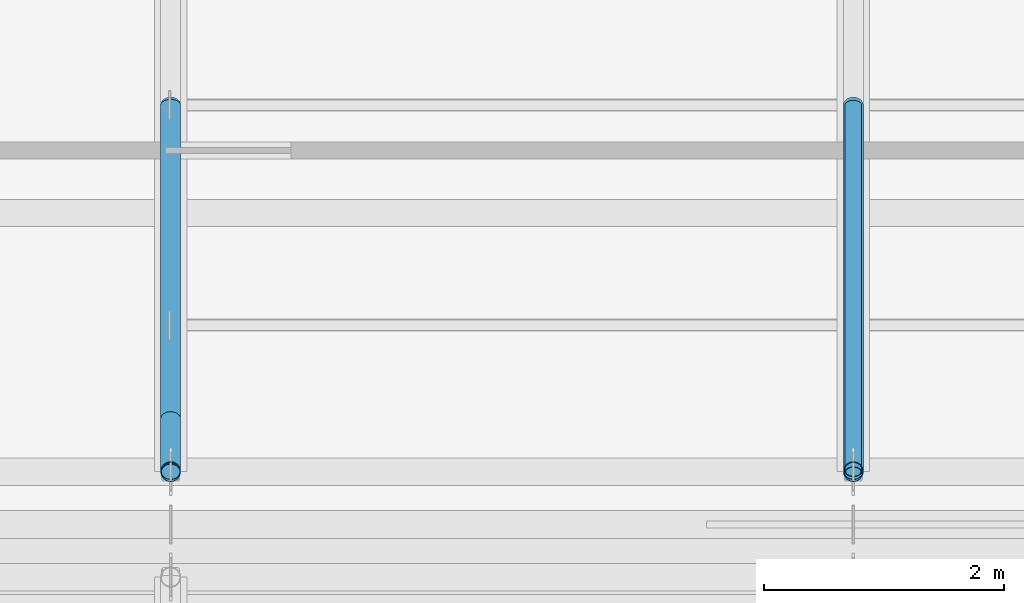
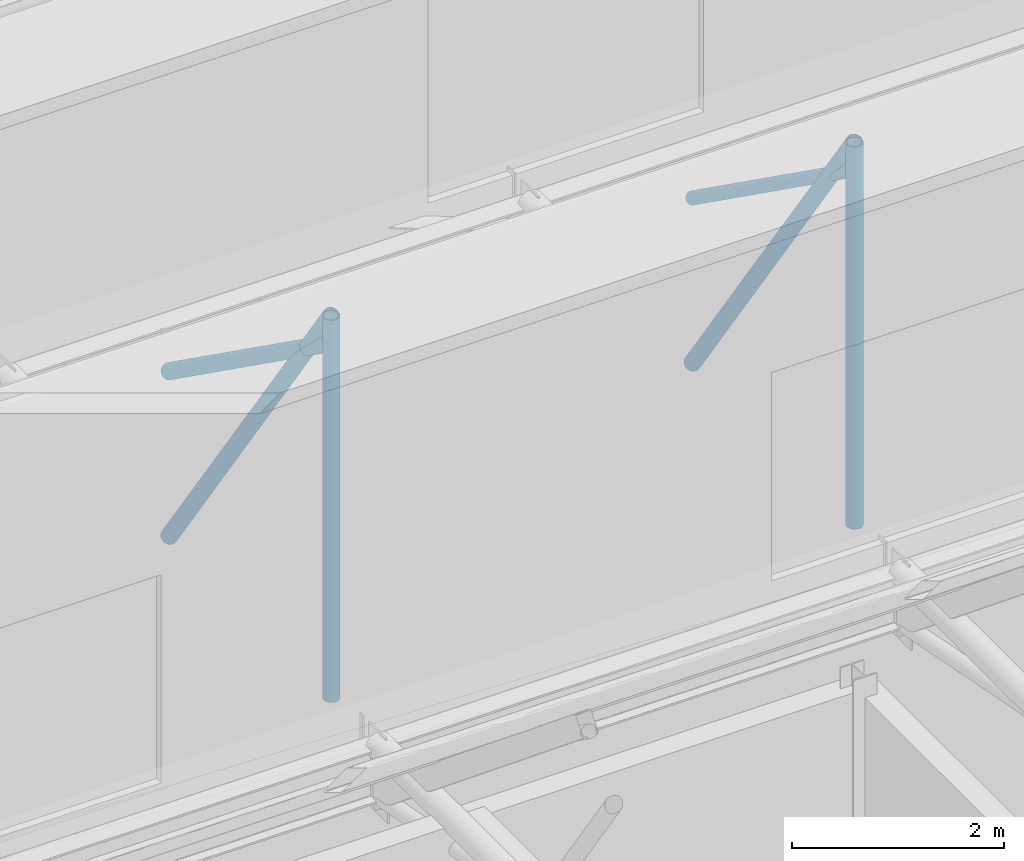
# One storey, part 10 of 55: 6 members.
"""IFC4 building model written with IfcOpenShell, lengths in metres."""

from ifc_helpers import new_model, si_unit, direction, frame, origin, origin_2d, place, context, subcontext, project, spatial, hollow_circle, extrude, material, material_profile, profile_set, type_object, element, save


model = new_model("IFC4")

# Units and contexts
model_context = context("Model", 3, precision=1e-05, world=origin(), true_north=direction((0.0, 1.0)))
body_context = subcontext(model_context, "Body", "Model", "MODEL_VIEW")
ifc_project = project(units=[si_unit("LENGTHUNIT", "METRE"), si_unit("AREAUNIT", "SQUARE_METRE"), si_unit("VOLUMEUNIT", "CUBIC_METRE"), si_unit("PLANEANGLEUNIT", "RADIAN"), si_unit("MASSUNIT", "GRAM", prefix="KILO")], contexts=[model_context])

# Site, building, storey
site_placement = place(None, origin())
site = spatial("IfcSite", under=ifc_project, at=site_placement, CompositionType="ELEMENT")
building_placement = place(site_placement, origin())
building = spatial("IfcBuilding", under=site, at=building_placement, Name="Tameran Prism Museum", CompositionType="ELEMENT")
storey_placement = place(building_placement, frame((0.0, 0.0, 28.800048828125)))
storey = spatial("IfcBuildingStorey", under=building, at=storey_placement, Name="L05", CompositionType="ELEMENT", Elevation=28.800048828125)

# Members
ifc_material_1 = material(Name="Steel Grade C350L0 (350 MPa)", Category="steel")
ifc_material_profile_1 = material_profile(ifc_material_1, hollow_circle(Radius=0.084228515625, WallThickness=0.007080078125, at=origin_2d()))
ifc_profile_set_1 = profile_set([ifc_material_profile_1])
member_type_1 = type_object("IfcMemberType", Name="MM-BR-CHS168", PredefinedType="BRACE", material=ifc_profile_set_1)
member_1_placement = place(storey_placement, frame((107.60009765625, 86.93994140625, 6.385986328125), z_axis=(0.0, 0.0, 1.0), x_axis=(1.0, 0.0, 0.0)))
element("IfcMember", 1, at=member_1_placement, inside=storey, type_object=member_type_1, Name="Sawtooth Brace STM-0080", PredefinedType="BRACE", context=body_context, shape_type="SweptSolid", body=[
    extrude(hollow_circle(Radius=0.084228515625, WallThickness=0.007080078125, at=origin_2d()), origin(), (0.0, 0.0, 1.0), 4.40185546875),
])
member_2_placement = place(storey_placement, frame((107.60009765625, 90.0, 6.385986328125), z_axis=(0.0, -0.570800267729, 0.821088944244), x_axis=(1.0, 0.0, 0.0)))
element("IfcMember", 2, at=member_2_placement, inside=storey, type_object=member_type_1, Name="Sawtooth Brace STM-0082", PredefinedType="BRACE", context=body_context, shape_type="SweptSolid", body=[
    extrude(hollow_circle(Radius=0.084228515625, WallThickness=0.007080078125, at=origin_2d()), origin(), (0.0, 0.0, 1.0), 5.361083984375),
])
member_3_placement = place(storey_placement, frame((113.300048828125, 86.93994140625, 6.385986328125), z_axis=(0.0, 0.0, 1.0), x_axis=(1.0, 0.0, 0.0)))
element("IfcMember", 3, at=member_3_placement, inside=storey, type_object=member_type_1, Name="Sawtooth Brace STM-0087", PredefinedType="BRACE", context=body_context, shape_type="SweptSolid", body=[
    extrude(hollow_circle(Radius=0.084228515625, WallThickness=0.007080078125, at=origin_2d()), origin(), (0.0, 0.0, 1.0), 4.40185546875),
])
member_4_placement = place(storey_placement, frame((113.300048828125, 90.0, 6.385986328125), z_axis=(0.0, -0.570800267729, 0.821088944244), x_axis=(1.0, 0.0, 0.0)))
element("IfcMember", 4, at=member_4_placement, inside=storey, type_object=member_type_1, Name="Sawtooth Brace STM-0089", PredefinedType="BRACE", context=body_context, shape_type="SweptSolid", body=[
    extrude(hollow_circle(Radius=0.084228515625, WallThickness=0.007080078125, at=origin_2d()), origin(), (0.0, 0.0, 1.0), 5.361083984375),
])
ifc_material_2 = material(Name="Steel Grade C350L0 (350 MPa)", Category="steel")
ifc_material_profile_2 = material_profile(ifc_material_2, hollow_circle(Radius=0.06982421875, WallThickness=0.00634765625, at=origin_2d()))
ifc_profile_set_2 = profile_set([ifc_material_profile_2])
member_type_2 = type_object("IfcMemberType", Name="MM-ST-CHS140", PredefinedType="STRUT", material=ifc_profile_set_2)
member_5_placement = place(storey_placement, frame((113.300048828125, 86.93994140625, 10.468017578125), z_axis=(0.0, 0.814435342728, -0.580254317102), x_axis=(-1.0, 0.0, 0.0)))
element("IfcMember", 5, at=member_5_placement, inside=storey, type_object=member_type_2, Name="Sawtooth Strut STM-0091", PredefinedType="STRUT", context=body_context, shape_type="SweptSolid", body=[
    extrude(hollow_circle(Radius=0.06982421875, WallThickness=0.00634765625, at=origin_2d()), origin(), (0.0, 0.0, 1.0), 3.75732421875),
])
ifc_material_3 = material(Name="Steel Grade C350L0 (350 MPa)", Category="steel")
ifc_material_profile_3 = material_profile(ifc_material_3, hollow_circle(Radius=0.084228515625, WallThickness=0.007080078125, at=origin_2d()))
ifc_profile_set_3 = profile_set([ifc_material_profile_3])
member_type_3 = type_object("IfcMemberType", Name="MM-ST-CHS168", PredefinedType="STRUT", material=ifc_profile_set_3)
member_6_placement = place(storey_placement, frame((107.60009765625, 86.93994140625, 10.468017578125), z_axis=(0.0, 0.814435342728, -0.580254317102), x_axis=(-1.0, 0.0, 0.0)))
element("IfcMember", 6, at=member_6_placement, inside=storey, type_object=member_type_3, Name="Sawtooth Strut STM-0084", PredefinedType="STRUT", context=body_context, shape_type="SweptSolid", body=[
    extrude(hollow_circle(Radius=0.084228515625, WallThickness=0.007080078125, at=origin_2d()), origin(), (0.0, 0.0, 1.0), 3.75732421875),
])

save(model, "model.ifc")
